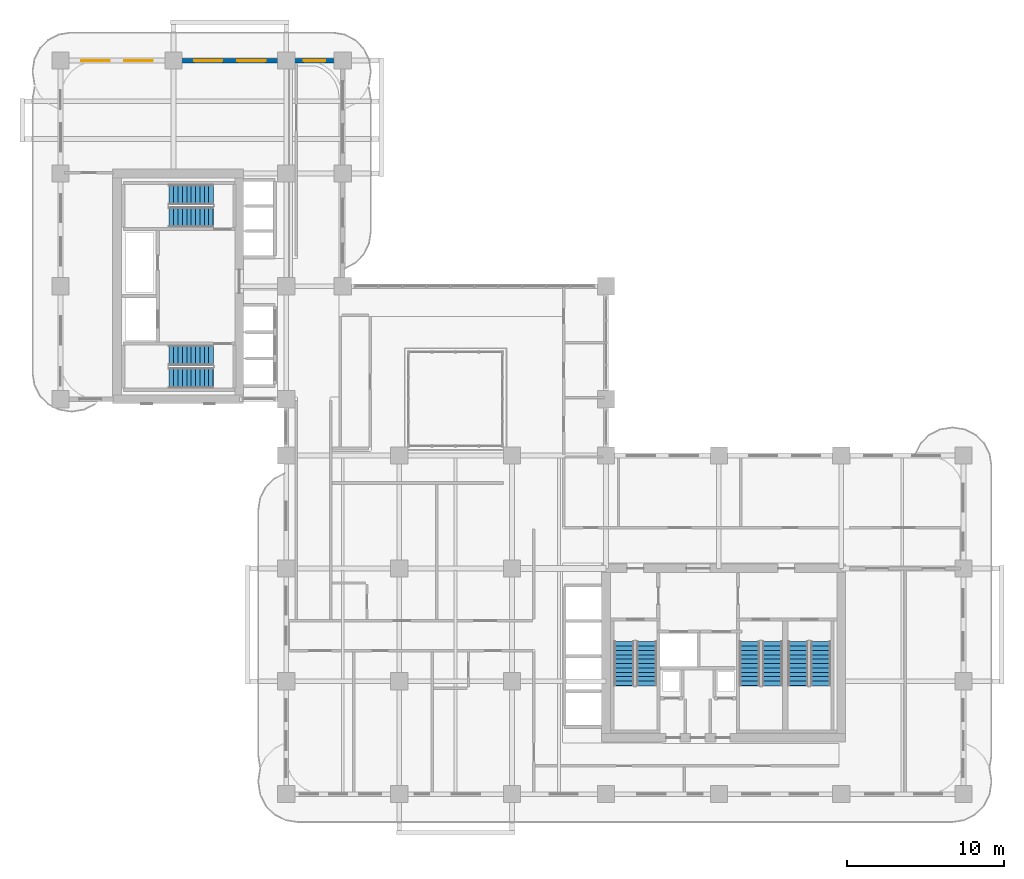
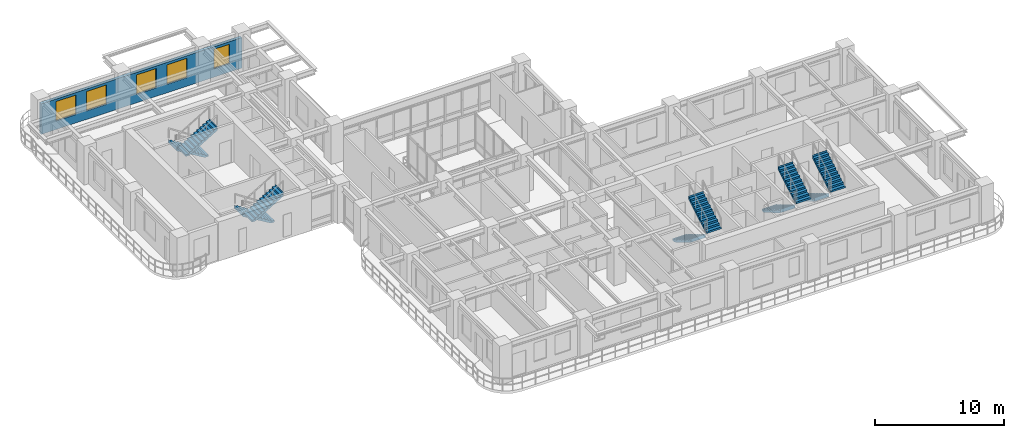
# One storey, part 17 of 22: 10 stair flights, 5 windows, 1 wall, 5 openings, 5 elements without a shape of their own.
"""IFC4 building model written with IfcOpenShell, lengths in metres."""

from ifc_helpers import new_model, si_unit, derived_unit, direction, frame, frame_2d, origin, place, context, subcontext, project, spatial, polyline, rectangle, outline, extrude, source, transform, mapped, material, layer, layer_set, type_object, type_shapes, element, fill, aggregate, save


model = new_model("IFC4")

# Units and contexts
model_context = context("Model", 3, precision=1e-05, world=origin(), true_north=direction((0.0, 1.0)))
body_context = subcontext(model_context, "Body", "Model", "MODEL_VIEW")
ifc_project = project(units=[si_unit("LENGTHUNIT", "METRE"), si_unit("AREAUNIT", "SQUARE_METRE"), si_unit("VOLUMEUNIT", "CUBIC_METRE"), si_unit("PLANEANGLEUNIT", "RADIAN"), si_unit("MASSUNIT", "GRAM", prefix="KILO"), si_unit("THERMODYNAMICTEMPERATUREUNIT", "KELVIN"), si_unit("POWERUNIT", "WATT"), derived_unit("THERMALTRANSMITTANCEUNIT", [(si_unit("POWERUNIT", "WATT"), 1), (si_unit("AREAUNIT", "SQUARE_METRE"), -1), (si_unit("THERMODYNAMICTEMPERATUREUNIT", "KELVIN"), -1)])], contexts=[model_context])

# Site, building, storey
site_placement = place(None, origin())
site = spatial("IfcSite", under=ifc_project, at=site_placement, CompositionType="ELEMENT")
building_placement = place(site_placement, origin())
building = spatial("IfcBuilding", under=site, at=building_placement, Name="Zahravan Archway Hotel and Residences", CompositionType="ELEMENT")
storey_placement = place(building_placement, frame((0.0, 0.0, 95.300048828125)))
storey = spatial("IfcBuildingStorey", under=building, at=storey_placement, Name="L23", CompositionType="ELEMENT", Elevation=95.300048828125)

# Wall, openings, windows
ifc_material_1 = material(Name="Honed Red-Ochre Sandstone & Insulated Block", Category="masonry")
ifc_layer_1 = layer(ifc_material_1, 0.280029296875, Name="Honed Red-Ochre Sandstone & Insulated Block", Category="masonry")
ifc_layer_set_1 = layer_set([ifc_layer_1], Name="Honed Red-Ochre Sandstone & Insulated Block")
wall_type = type_object("IfcWallType", Name="EW-LOG-280", PredefinedType="SOLIDWALL", material=ifc_layer_set_1)
wall_placement = place(storey_placement, frame((0.0, 46.800048828125, 0.0), z_axis=(0.0, 0.0, 1.0), x_axis=(1.0, 0.0, 0.0)))
wall = element("IfcWall", 1, at=wall_placement, inside=storey, type_object=wall_type, Name="L23 Exterior Sandstone Wall WB-N", PredefinedType="SOLIDWALL", context=body_context, shape_type="SweptSolid", body=[
    extrude(rectangle(XDim=18.0, YDim=0.280029296875, at=frame_2d((9.0, 0.0))), origin(), (0.0, 0.0, 1.0), 2.885009765625),
])
opening_1_placement = place(wall_placement, frame((1.324951171875, 0.0, 0.800048828125)))
opening_1 = element("IfcOpeningElement", 2, at=opening_1_placement, cuts=wall, Name="Opening W-02", PredefinedType="OPENING", context=body_context, shape_type="SweptSolid", body=[
    extrude(rectangle(XDim=1.800048828125, YDim=1.85009765625, at=frame_2d((0.89990234375, 0.925048828125))), frame((0.0, 0.14990234375, 0.0), z_axis=(0.0, -1.0, 0.0), x_axis=(1.0, 0.0, 0.0)), (0.0, 0.0, 1.0), 0.300048828125),
])
opening_2_placement = place(wall_placement, frame((4.074951171875, 0.0, 0.800048828125)))
opening_2 = element("IfcOpeningElement", 3, at=opening_2_placement, cuts=wall, Name="Opening W-02", PredefinedType="OPENING", context=body_context, shape_type="SweptSolid", body=[
    extrude(rectangle(XDim=1.800048828125, YDim=1.85009765625, at=frame_2d((0.89990234375, 0.925048828125))), frame((0.0, 0.14990234375, 0.0), z_axis=(0.0, -1.0, 0.0), x_axis=(1.0, 0.0, 0.0)), (0.0, 0.0, 1.0), 0.300048828125),
])
opening_3_placement = place(wall_placement, frame((8.52490234375, 0.0, 0.800048828125)))
opening_3 = element("IfcOpeningElement", 4, at=opening_3_placement, cuts=wall, Name="Opening W-02", PredefinedType="OPENING", context=body_context, shape_type="SweptSolid", body=[
    extrude(rectangle(XDim=1.800048828125, YDim=1.85009765625, at=frame_2d((0.89990234375, 0.925048828125))), frame((0.0, 0.14990234375, 0.0), z_axis=(0.0, -1.0, 0.0), x_axis=(1.0, 0.0, 0.0)), (0.0, 0.0, 1.0), 0.300048828125),
])
opening_4_placement = place(wall_placement, frame((11.27490234375, 0.0, 0.800048828125)))
opening_4 = element("IfcOpeningElement", 5, at=opening_4_placement, cuts=wall, Name="Opening W-02", PredefinedType="OPENING", context=body_context, shape_type="SweptSolid", body=[
    extrude(rectangle(XDim=1.800048828125, YDim=1.85009765625, at=frame_2d((0.89990234375, 0.925048828125))), frame((0.0, 0.14990234375, 0.0), z_axis=(0.0, -1.0, 0.0), x_axis=(1.0, 0.0, 0.0)), (0.0, 0.0, 1.0), 0.300048828125),
])
opening_5_placement = place(wall_placement, frame((15.5, 0.0, 0.800048828125)))
opening_5 = element("IfcOpeningElement", 6, at=opening_5_placement, cuts=wall, Name="Opening W-03", PredefinedType="OPENING", context=body_context, shape_type="SweptSolid", body=[
    extrude(rectangle(XDim=1.39990234375, YDim=1.85009765625, at=frame_2d((0.699951171875, 0.925048828125))), frame((0.0, 0.14990234375, 0.0), z_axis=(0.0, -1.0, 0.0), x_axis=(1.0, 0.0, 0.0)), (0.0, 0.0, 1.0), 0.300048828125),
])
ifc_material_2 = material(Name="Bronze-Anodized Thermal-Break Aluminium & Low-E Glass", Category="aluminium")
window_type_1 = type_object("IfcWindowType", Name="WIN-TWR-1400", PartitioningType="SINGLE_PANEL", PredefinedType="WINDOW", material=ifc_material_2)
shared_shape_1 = source(origin(), body_context, "Body", "SweptSolid", [
    extrude(rectangle(XDim=1.39990234375, YDim=1.85009765625, at=frame_2d((0.699951171875, 0.925048828125))), frame((0.0, 0.030029296875, 0.0), z_axis=(0.0, -1.0, 0.0), x_axis=(1.0, 0.0, 0.0)), (0.0, 0.0, 1.0), 0.06005859375),
])
type_shapes(window_type_1, [shared_shape_1])
window_1_placement = place(opening_5_placement, origin())
window_1 = element("IfcWindow", 7, at=window_1_placement, inside=storey, type_object=window_type_1, Name="L23 Loggia Window 38", OverallHeight=1.85009765625, OverallWidth=1.39990234375, PartitioningType="SINGLE_PANEL", PredefinedType="WINDOW", context=body_context, shape_type="MappedRepresentation", body=[
    mapped(shared_shape_1, transform((0.0, 0.0, 0.0), scale=1.0)),
])
fill(opening_5, window_1)
window_type_2 = type_object("IfcWindowType", Name="WIN-TWR-1800", PartitioningType="DOUBLE_PANEL_VERTICAL", PredefinedType="WINDOW", material=ifc_material_2)
shared_shape_2 = source(origin(), body_context, "Body", "SweptSolid", [
    extrude(rectangle(XDim=1.800048828125, YDim=1.85009765625, at=frame_2d((0.89990234375, 0.925048828125))), frame((0.0, 0.030029296875, 0.0), z_axis=(0.0, -1.0, 0.0), x_axis=(1.0, 0.0, 0.0)), (0.0, 0.0, 1.0), 0.06005859375),
])
type_shapes(window_type_2, [shared_shape_2])
window_2_placement = place(opening_1_placement, origin())
window_2 = element("IfcWindow", 8, at=window_2_placement, inside=storey, type_object=window_type_2, Name="L23 Loggia Window 34", OverallHeight=1.85009765625, OverallWidth=1.800048828125, PartitioningType="DOUBLE_PANEL_VERTICAL", PredefinedType="WINDOW", context=body_context, shape_type="MappedRepresentation", body=[
    mapped(shared_shape_2, transform((0.0, 0.0, 0.0), scale=1.0)),
])
fill(opening_1, window_2)
window_3_placement = place(opening_2_placement, origin())
window_3 = element("IfcWindow", 9, at=window_3_placement, inside=storey, type_object=window_type_2, Name="L23 Loggia Window 35", OverallHeight=1.85009765625, OverallWidth=1.800048828125, PartitioningType="DOUBLE_PANEL_VERTICAL", PredefinedType="WINDOW", context=body_context, shape_type="MappedRepresentation", body=[
    mapped(shared_shape_2, transform((0.0, 0.0, 0.0), scale=1.0)),
])
fill(opening_2, window_3)
window_4_placement = place(opening_3_placement, origin())
window_4 = element("IfcWindow", 10, at=window_4_placement, inside=storey, type_object=window_type_2, Name="L23 Loggia Window 36", OverallHeight=1.85009765625, OverallWidth=1.800048828125, PartitioningType="DOUBLE_PANEL_VERTICAL", PredefinedType="WINDOW", context=body_context, shape_type="MappedRepresentation", body=[
    mapped(shared_shape_2, transform((0.0, 0.0, 0.0), scale=1.0)),
])
fill(opening_3, window_4)
window_5_placement = place(opening_4_placement, origin())
window_5 = element("IfcWindow", 11, at=window_5_placement, inside=storey, type_object=window_type_2, Name="L23 Loggia Window 37", OverallHeight=1.85009765625, OverallWidth=1.800048828125, PartitioningType="DOUBLE_PANEL_VERTICAL", PredefinedType="WINDOW", context=body_context, shape_type="MappedRepresentation", body=[
    mapped(shared_shape_2, transform((0.0, 0.0, 0.0), scale=1.0)),
])
fill(opening_4, window_5)

# Stair, stair flights
ifc_material_3 = material(Name="Concrete C50/60", Category="concrete")
stair_type = type_object("IfcStairType", Name="STR-CORE-1300", PredefinedType="HALF_TURN_STAIR", material=ifc_material_3)
stair_1_placement = place(storey_placement, origin())
stair_1 = element("IfcStair", 12, at=stair_1_placement, inside=storey, type_object=stair_type, Name="L23 Core A Exit Stair 1", PredefinedType="HALF_TURN_STAIR")
ifc_layer_2 = layer(ifc_material_3, 0.199951171875, Name="Concrete C50/60", Category="concrete")
ifc_layer_set_2 = layer_set([ifc_layer_2], Name="Concrete C50/60")
stair_flight_type = type_object("IfcStairFlightType", Name="SFL-CORE-1300", PredefinedType="STRAIGHT", material=ifc_layer_set_2)
shared_shape_3 = source(origin(), body_context, "Body", "SweptSolid", [
    extrude(outline(polyline([(-0.01611328125, 0.0), (-0.01611328125, 0.168212890625), (0.280029296875, 0.168212890625), (0.280029296875, 0.33642578125), (0.56005859375, 0.33642578125), (0.56005859375, 0.504638671875), (0.840087890625, 0.504638671875), (0.840087890625, 0.672607421875), (1.1201171875, 0.672607421875), (1.1201171875, 0.8408203125), (1.39990234375, 0.8408203125), (1.39990234375, 1.009033203125), (1.679931640625, 1.009033203125), (1.679931640625, 1.17724609375), (1.9599609375, 1.17724609375), (1.9599609375, 1.345458984375), (2.239990234375, 1.345458984375), (2.239990234375, 1.513671875), (2.52001953125, 1.513671875), (2.52001953125, 1.681884765625), (2.800048828125, 1.681884765625), (2.800048828125, 1.85009765625), (2.816162109375, 1.85009765625), (2.816162109375, 1.5068359375), (0.291015625, 0.0), (-0.01611328125, 0.0)])), frame((0.0, 0.64990234375, 0.0), z_axis=(0.0, -1.0, 0.0), x_axis=(1.0, 0.0, 0.0)), (0.0, 0.0, 1.0), 1.300048828125),
])
stair_flight_1_placement = place(storey_placement, frame((35.949951171875, 9.72998046875, 0.0), z_axis=(0.0, 0.0, 1.0), x_axis=(0.0, -1.0, 0.0)))
stair_flight_1 = element("IfcStairFlight", 13, at=stair_flight_1_placement, type_object=stair_flight_type, Name="ST-A1 flight 1", NumberOfRisers=11, NumberOfTreads=10, PredefinedType="STRAIGHT", RiserHeight=0.168181818, TreadLength=0.28, context=body_context, shape_type="MappedRepresentation", body=[
    mapped(shared_shape_3, transform((0.0, 0.0, 0.0), scale=1.0)),
])
stair_flight_2_placement = place(storey_placement, frame((37.389892578125, 6.929931640625, 1.849853515625), z_axis=(0.0, 0.0, 1.0), x_axis=(0.0, 1.0, 0.0)))
stair_flight_2 = element("IfcStairFlight", 14, at=stair_flight_2_placement, type_object=stair_flight_type, Name="ST-A1 flight 2", NumberOfRisers=11, NumberOfTreads=10, PredefinedType="STRAIGHT", RiserHeight=0.168181818, TreadLength=0.28, context=body_context, shape_type="MappedRepresentation", body=[
    mapped(shared_shape_3, transform((0.0, 0.0, 0.0), scale=1.0)),
])
aggregate(stair_1, [stair_flight_1, stair_flight_2])

stair_2_placement = place(storey_placement, origin())
stair_2 = element("IfcStair", 15, at=stair_2_placement, inside=storey, type_object=stair_type, Name="L23 Core A Exit Stair 2", PredefinedType="HALF_TURN_STAIR")
stair_flight_3_placement = place(storey_placement, frame((43.969970703125, 9.72998046875, 0.0), z_axis=(0.0, 0.0, 1.0), x_axis=(0.0, -1.0, 0.0)))
stair_flight_3 = element("IfcStairFlight", 16, at=stair_flight_3_placement, type_object=stair_flight_type, Name="ST-A2 flight 1", NumberOfRisers=11, NumberOfTreads=10, PredefinedType="STRAIGHT", RiserHeight=0.168181818, TreadLength=0.28, context=body_context, shape_type="MappedRepresentation", body=[
    mapped(shared_shape_3, transform((0.0, 0.0, 0.0), scale=1.0)),
])
stair_flight_4_placement = place(storey_placement, frame((45.409912109375, 6.929931640625, 1.849853515625), z_axis=(0.0, 0.0, 1.0), x_axis=(0.0, 1.0, 0.0)))
stair_flight_4 = element("IfcStairFlight", 17, at=stair_flight_4_placement, type_object=stair_flight_type, Name="ST-A2 flight 2", NumberOfRisers=11, NumberOfTreads=10, PredefinedType="STRAIGHT", RiserHeight=0.168181818, TreadLength=0.28, context=body_context, shape_type="MappedRepresentation", body=[
    mapped(shared_shape_3, transform((0.0, 0.0, 0.0), scale=1.0)),
])
aggregate(stair_2, [stair_flight_3, stair_flight_4])

stair_3_placement = place(storey_placement, origin())
stair_3 = element("IfcStair", 18, at=stair_3_placement, inside=storey, type_object=stair_type, Name="L23 Core A Exit Stair 3", PredefinedType="HALF_TURN_STAIR")
stair_flight_5_placement = place(storey_placement, frame((47.050048828125, 9.72998046875, 0.0), z_axis=(0.0, 0.0, 1.0), x_axis=(0.0, -1.0, 0.0)))
stair_flight_5 = element("IfcStairFlight", 19, at=stair_flight_5_placement, type_object=stair_flight_type, Name="ST-A3 flight 1", NumberOfRisers=11, NumberOfTreads=10, PredefinedType="STRAIGHT", RiserHeight=0.168181818, TreadLength=0.28, context=body_context, shape_type="MappedRepresentation", body=[
    mapped(shared_shape_3, transform((0.0, 0.0, 0.0), scale=1.0)),
])
stair_flight_6_placement = place(storey_placement, frame((48.489990234375, 6.929931640625, 1.849853515625), z_axis=(0.0, 0.0, 1.0), x_axis=(0.0, 1.0, 0.0)))
stair_flight_6 = element("IfcStairFlight", 20, at=stair_flight_6_placement, type_object=stair_flight_type, Name="ST-A3 flight 2", NumberOfRisers=11, NumberOfTreads=10, PredefinedType="STRAIGHT", RiserHeight=0.168181818, TreadLength=0.28, context=body_context, shape_type="MappedRepresentation", body=[
    mapped(shared_shape_3, transform((0.0, 0.0, 0.0), scale=1.0)),
])
aggregate(stair_3, [stair_flight_5, stair_flight_6])

stair_4_placement = place(storey_placement, origin())
stair_4 = element("IfcStair", 21, at=stair_4_placement, inside=storey, type_object=stair_type, Name="L23 Core B Exit Stair 1", PredefinedType="HALF_TURN_STAIR")
stair_flight_7_placement = place(storey_placement, frame((9.72998046875, 27.989990234375, 0.0), z_axis=(0.0, 0.0, 1.0), x_axis=(-1.0, 0.0, 0.0)))
stair_flight_7 = element("IfcStairFlight", 22, at=stair_flight_7_placement, type_object=stair_flight_type, Name="ST-B1 flight 1", NumberOfRisers=11, NumberOfTreads=10, PredefinedType="STRAIGHT", RiserHeight=0.168181818, TreadLength=0.28, context=body_context, shape_type="MappedRepresentation", body=[
    mapped(shared_shape_3, transform((0.0, 0.0, 0.0), scale=1.0)),
])
stair_flight_8_placement = place(storey_placement, frame((6.929931640625, 26.550048828125, 1.849853515625), z_axis=(0.0, 0.0, 1.0), x_axis=(1.0, 0.0, 0.0)))
stair_flight_8 = element("IfcStairFlight", 23, at=stair_flight_8_placement, type_object=stair_flight_type, Name="ST-B1 flight 2", NumberOfRisers=11, NumberOfTreads=10, PredefinedType="STRAIGHT", RiserHeight=0.168181818, TreadLength=0.28, context=body_context, shape_type="MappedRepresentation", body=[
    mapped(shared_shape_3, transform((0.0, 0.0, 0.0), scale=1.0)),
])
aggregate(stair_4, [stair_flight_7, stair_flight_8])

stair_5_placement = place(storey_placement, origin())
stair_5 = element("IfcStair", 24, at=stair_5_placement, inside=storey, type_object=stair_type, Name="L23 Core B Exit Stair 2", PredefinedType="HALF_TURN_STAIR")
stair_flight_9_placement = place(storey_placement, frame((9.72998046875, 38.25, 0.0), z_axis=(0.0, 0.0, 1.0), x_axis=(-1.0, 0.0, 0.0)))
stair_flight_9 = element("IfcStairFlight", 25, at=stair_flight_9_placement, type_object=stair_flight_type, Name="ST-B2 flight 1", NumberOfRisers=11, NumberOfTreads=10, PredefinedType="STRAIGHT", RiserHeight=0.168181818, TreadLength=0.28, context=body_context, shape_type="MappedRepresentation", body=[
    mapped(shared_shape_3, transform((0.0, 0.0, 0.0), scale=1.0)),
])
stair_flight_10_placement = place(storey_placement, frame((6.929931640625, 36.81005859375, 1.849853515625), z_axis=(0.0, 0.0, 1.0), x_axis=(1.0, 0.0, 0.0)))
stair_flight_10 = element("IfcStairFlight", 26, at=stair_flight_10_placement, type_object=stair_flight_type, Name="ST-B2 flight 2", NumberOfRisers=11, NumberOfTreads=10, PredefinedType="STRAIGHT", RiserHeight=0.168181818, TreadLength=0.28, context=body_context, shape_type="MappedRepresentation", body=[
    mapped(shared_shape_3, transform((0.0, 0.0, 0.0), scale=1.0)),
])
aggregate(stair_5, [stair_flight_9, stair_flight_10])

save(model, "model.ifc")
